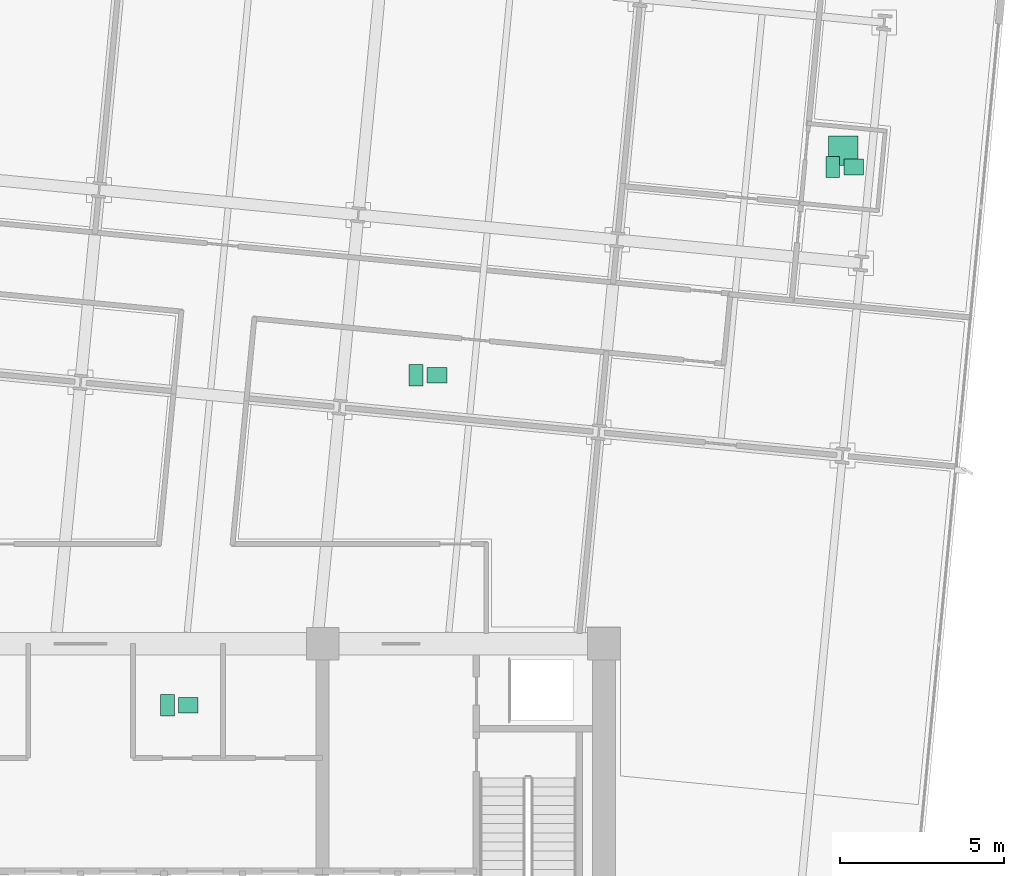
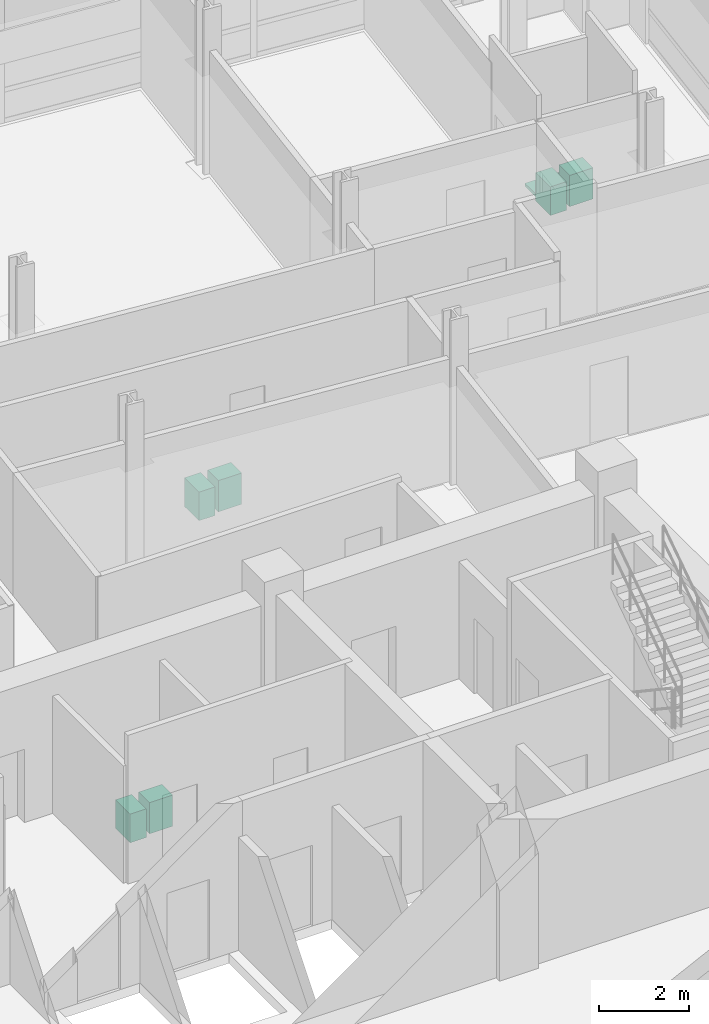
# One storey, part 17 of 17: 7 sanitary terminals.
"""IFC4 building model written with IfcOpenShell, lengths in metres."""

import ifcopenshell
import ifcopenshell.guid

model = None  # the IFC model being written
_history = None  # IfcOwnerHistory: only IFC2X3 demands one
_inside = {}  # id of a spatial element -> (the spatial element, [elements in it])
_under = {}  # id of a project, library or spatial element -> (it, [spatial elements below it])
_declared = {}  # id of a project -> (the project, [libraries it declares])
_typed = {}  # id of a type object -> (the type object, [elements of that type])
_made_of = {}  # id of a material, layer set ... -> (it, [elements and type objects made of it])


def new_model(schema):
    """Start an empty IFC model of exactly this schema.

    Asked for "IFC4X3", IfcOpenShell would pick the latest addendum, in which some entities
    have other attributes; the version numbers below select the first issue.
    IFC2X3 requires an IfcOwnerHistory on every rooted entity: one is made here for all.
    """
    global model, _history
    if schema == "IFC4X3":
        model = ifcopenshell.file(schema_version=(4, 3, 0, 0))
    else:
        model = ifcopenshell.file(schema=schema)
    _inside.clear()
    _under.clear()
    _declared.clear()
    _typed.clear()
    _made_of.clear()
    _history = None
    if model.schema == "IFC2X3":
        org = make("IfcOrganization", Name="unknown")
        user = make(
            "IfcPersonAndOrganization",
            ThePerson=make("IfcPerson", FamilyName="unknown"),
            TheOrganization=org,
        )
        app = make(
            "IfcApplication",
            ApplicationDeveloper=org,
            Version="unknown",
            ApplicationFullName="unknown",
            ApplicationIdentifier="unknown",
        )
        _history = make(
            "IfcOwnerHistory",
            OwningUser=user,
            OwningApplication=app,
            ChangeAction="ADDED",
            CreationDate=0,
        )
    return model


def make(cls, **values):
    """One entity of the class cls with the attributes given. An attribute that is None is left unset."""
    return model.create_entity(
        cls, **{name: value for name, value in values.items() if value is not None}
    )


def rooted(cls, **values):
    """An entity with a GlobalId (a new one), such as an element, a storey or a relation."""
    return make(cls, GlobalId=ifcopenshell.guid.new(), OwnerHistory=_history, **values)


def si_unit(unit_type, name, prefix=None):
    """IfcSIUnit, for example si_unit("LENGTHUNIT", "METRE", prefix="MILLI")."""
    return make("IfcSIUnit", UnitType=unit_type, Prefix=prefix, Name=name)


def assignment(units):
    """IfcUnitAssignment: the units of a project."""
    return None if units is None else make("IfcUnitAssignment", Units=units)


def point(xyz):
    """IfcCartesianPoint."""
    return None if xyz is None else make("IfcCartesianPoint", Coordinates=xyz)


def direction(xyz):
    """IfcDirection."""
    return None if xyz is None else make("IfcDirection", DirectionRatios=xyz)


def frame(location, z_axis=None, x_axis=None):
    """IfcAxis2Placement3D, a coordinate frame: its origin and axes. An axis left out is left unset."""
    return make(
        "IfcAxis2Placement3D",
        Location=point(location),
        Axis=direction(z_axis),
        RefDirection=direction(x_axis),
    )


def frame_2d(location, x_axis=None):
    """IfcAxis2Placement2D, a coordinate frame in the plane: its origin and x axis."""
    return make(
        "IfcAxis2Placement2D", Location=point(location), RefDirection=direction(x_axis)
    )


def origin():
    """The frame at (0, 0, 0) with its axes left unset."""
    return frame((0.0, 0.0, 0.0))


def origin_2d():
    """The frame at (0, 0) in the plane with its x axis left unset."""
    return frame_2d((0.0, 0.0))


def place(relative_to, where):
    """IfcLocalPlacement: puts the frame where relative to a parent placement (None: the world)."""
    return make(
        "IfcLocalPlacement", PlacementRelTo=relative_to, RelativePlacement=where
    )


def context(
    kind, dimensions, precision=None, world=None, true_north=None, identifier=None
):
    """IfcGeometricRepresentationContext, for example the 3D "Model" context."""
    return make(
        "IfcGeometricRepresentationContext",
        ContextIdentifier=identifier,
        ContextType=kind,
        CoordinateSpaceDimension=dimensions,
        Precision=precision,
        WorldCoordinateSystem=world,
        TrueNorth=true_north,
    )


def subcontext(parent, identifier, kind, view, scale=None):
    """IfcGeometricRepresentationSubContext, for example "Body" below "Model"."""
    return make(
        "IfcGeometricRepresentationSubContext",
        ContextIdentifier=identifier,
        ContextType=kind,
        ParentContext=parent,
        TargetScale=scale,
        TargetView=view,
    )


def project(units=None, contexts=None):
    """IfcProject with its units and contexts."""
    return rooted(
        "IfcProject",
        Name="project",
        RepresentationContexts=contexts,
        UnitsInContext=assignment(units),
    )


def spatial(cls, under=None, at=None, **own):
    """A site, building, storey or space (cls), placed at a placement, below another one or the project."""
    s = rooted(cls, ObjectPlacement=at, **own)
    if under is not None:
        _under.setdefault(under.id(), (under, []))[1].append(s)
    return s


def profile(cls, at=None, kind="AREA", **sizes):
    """A parametric profile (cls). Its sizes go by their IFC names, for example OverallWidth=200.0."""
    return make(cls, ProfileType=kind, Position=at, **sizes)


def rectangle(**sizes):
    """IfcRectangleProfileDef."""
    return profile("IfcRectangleProfileDef", **sizes)


def extrude(swept, where, along, depth):
    """IfcExtrudedAreaSolid: the profile swept, set in the frame where, extruded along a direction by depth."""
    return make(
        "IfcExtrudedAreaSolid",
        SweptArea=swept,
        Position=where,
        ExtrudedDirection=direction(along),
        Depth=depth,
    )


def shape(context_of_items, identifier, shape_type, items):
    """IfcShapeRepresentation: the items that make up one representation, for example the "Body"."""
    return make(
        "IfcShapeRepresentation",
        ContextOfItems=context_of_items,
        RepresentationIdentifier=identifier,
        RepresentationType=shape_type,
        Items=items,
    )


def material(Name=None, Category=None):
    """IfcMaterial."""
    return make("IfcMaterial", Name=Name, Category=Category)


def made_of(thing, what):
    """Note that an element or type object is made of a material, layer set ...; save() writes the relation."""
    if what is not None:
        _made_of.setdefault(what.id(), (what, []))[1].append(thing)
    return thing


def type_object(cls, material=None, **own):
    """A type object (cls), such as IfcWallType, which elements share."""
    return made_of(rooted(cls, **own), material)


def element(
    cls,
    number,
    at=None,
    inside=None,
    cuts=None,
    type_object=None,
    material=None,
    context=None,
    identifier="Body",
    shape_type=None,
    held_by="IfcProductDefinitionShape",
    body=None,
    shapes=None,
    **own,
):
    """One element of the class cls, such as IfcWall. Its Tag is "e" and its number.

    at: its placement. inside: the storey or other place that contains it. cuts: it is an
    opening in that element (IfcRelVoidsElement). A single representation is given by context,
    identifier, shape_type and body (its items); several are given by shapes. held_by: the class
    of the entity that holds the representations. save() writes the other relations.
    """
    e = rooted(cls, Tag="e%d" % number, ObjectPlacement=at, **own)
    if body is not None:
        shapes = [shape(context, identifier, shape_type, body)]
    if shapes is not None:
        e.Representation = make(held_by, Representations=shapes)
    if inside is not None:
        _inside.setdefault(inside.id(), (inside, []))[1].append(e)
    if cuts is not None:
        rooted(
            "IfcRelVoidsElement", RelatingBuildingElement=cuts, RelatedOpeningElement=e
        )
    if type_object is not None:
        _typed.setdefault(type_object.id(), (type_object, []))[1].append(e)
    return made_of(e, material)


def aggregate(whole, parts):
    """IfcRelAggregates: a whole, such as a stair, and the parts it consists of."""
    return rooted("IfcRelAggregates", RelatingObject=whole, RelatedObjects=parts)


def save(model, path):
    """Write the relations noted so far, then the file.

    IfcRelAggregates (storeys below a building ...), IfcRelContainedInSpatialStructure (elements
    in a storey), IfcRelDefinesByType, IfcRelAssociatesMaterial and IfcRelDeclares: one each for
    every whole, place, type object, material and project.
    """
    for whole, parts in _under.values():
        aggregate(whole, parts)
    for where, things in _inside.values():
        rooted(
            "IfcRelContainedInSpatialStructure",
            RelatedElements=things,
            RelatingStructure=where,
        )
    for kind, things in _typed.values():
        rooted("IfcRelDefinesByType", RelatedObjects=things, RelatingType=kind)
    for what, things in _made_of.values():
        rooted("IfcRelAssociatesMaterial", RelatedObjects=things, RelatingMaterial=what)
    for by, libraries in _declared.values():
        rooted("IfcRelDeclares", RelatingContext=by, RelatedDefinitions=libraries)
    model.write(path)


model = new_model("IFC4")

# Units and contexts
model_context = context("Model", 3, precision=1e-05, world=origin(), true_north=direction((0.0, 1.0)))
body_context = subcontext(model_context, "Body", "Model", "MODEL_VIEW")
ifc_project = project(units=[si_unit("LENGTHUNIT", "METRE"), si_unit("AREAUNIT", "SQUARE_METRE"), si_unit("VOLUMEUNIT", "CUBIC_METRE"), si_unit("PLANEANGLEUNIT", "RADIAN"), si_unit("MASSUNIT", "GRAM", prefix="KILO")], contexts=[model_context])

# Site, building, storey
site_placement = place(None, origin())
site = spatial("IfcSite", under=ifc_project, at=site_placement, CompositionType="ELEMENT")
building_placement = place(site_placement, origin())
building = spatial("IfcBuilding", under=site, at=building_placement, Name="Solmavex Isthmus Hotel", CompositionType="ELEMENT")
storey_placement = place(building_placement, frame((0.0, 0.0, 181.800048828125)))
storey = spatial("IfcBuildingStorey", under=building, at=storey_placement, Name="L49", CompositionType="ELEMENT", Elevation=181.800048828125)

# Sanitary terminals
ifc_material = material(Name="Vitreous china ceramic", Category="ceramic")
sanitary_terminal_type_1 = type_object("IfcSanitaryTerminalType", Name="SAN-BASIN", PredefinedType="WASHHANDBASIN", material=ifc_material)
for number, where, z_axis, x_axis, name in (
    (1, (3.294921875, -4.385009765625, 0.0), (0.0, 0.0, 1.0), (1.0, 0.0, 0.0), "Vanity Washbasin L49-227"),
    (2, (23.630126953125, 12.069580078125, 0.0), (0.0, 0.0, 1.0), (1.0, 0.0, 0.0), "Vanity Washbasin L49-228"),
    (3, (10.895263671875, 5.702880859375, 0.0), (0.0, 0.0, 1.0), (1.0, 0.0, 0.0), "Vanity Washbasin L49-229"),
):
    element("IfcSanitaryTerminal", number, at=place(storey_placement, frame(where, z_axis=z_axis, x_axis=x_axis)), inside=storey, type_object=sanitary_terminal_type_1, Name=name, PredefinedType="WASHHANDBASIN", context=body_context, shape_type="SweptSolid", body=[
        extrude(rectangle(XDim=0.60009765625, YDim=0.47998046875, at=origin_2d()), origin(), (0.0, 0.0, 1.0), 0.85009765625),
    ])
sanitary_terminal_type_2 = type_object("IfcSanitaryTerminalType", Name="SAN-SHOWER", PredefinedType="SHOWER", material=ifc_material)
sanitary_terminal_placement = place(storey_placement, frame((23.310302734375, 12.569580078125, 0.0), z_axis=(0.0, 0.0, 1.0), x_axis=(1.0, 0.0, 0.0)))
element("IfcSanitaryTerminal", 4, at=sanitary_terminal_placement, inside=storey, type_object=sanitary_terminal_type_2, Name="Walk-In Shower L49-228", PredefinedType="SHOWER", context=body_context, shape_type="SweptSolid", body=[
    extrude(rectangle(XDim=0.89990234375, YDim=0.89990234375, at=origin_2d()), origin(), (0.0, 0.0, 1.0), 0.080078125),
])
sanitary_terminal_type_3 = type_object("IfcSanitaryTerminalType", Name="SAN-WC-SUITE", PredefinedType="TOILETPAN", material=ifc_material)
for number, where, z_axis, x_axis, name in (
    (5, (2.655029296875, -4.385009765625, 0.0), (0.0, 0.0, 1.0), (1.0, 0.0, 0.0), "Water Closet L49-227"),
    (6, (22.990234375, 12.069580078125, 0.0), (0.0, 0.0, 1.0), (1.0, 0.0, 0.0), "Water Closet L49-228"),
    (7, (10.25537109375, 5.702880859375, 0.0), (0.0, 0.0, 1.0), (1.0, 0.0, 0.0), "Water Closet L49-229"),
):
    element("IfcSanitaryTerminal", number, at=place(storey_placement, frame(where, z_axis=z_axis, x_axis=x_axis)), inside=storey, type_object=sanitary_terminal_type_3, Name=name, PredefinedType="TOILETPAN", context=body_context, shape_type="SweptSolid", body=[
        extrude(rectangle(XDim=0.419921875, YDim=0.64990234375, at=origin_2d()), origin(), (0.0, 0.0, 1.0), 0.780029296875),
    ])

save(model, "model.ifc")
